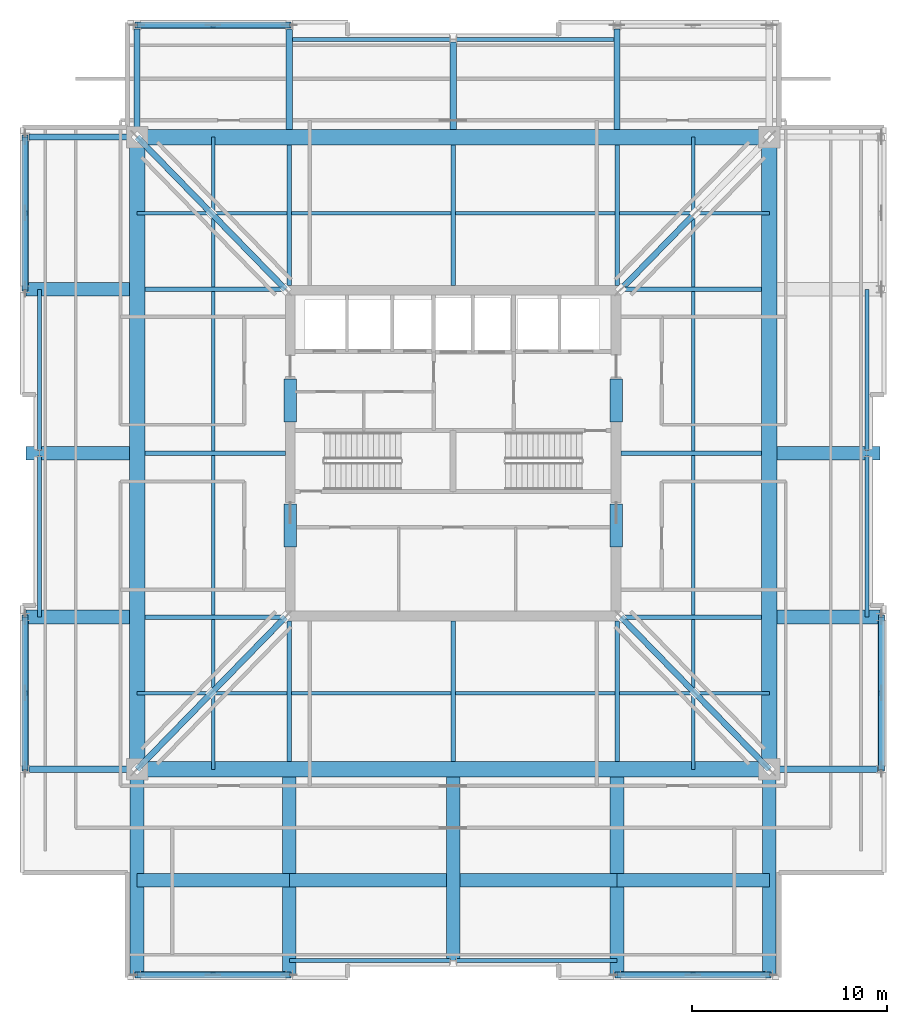
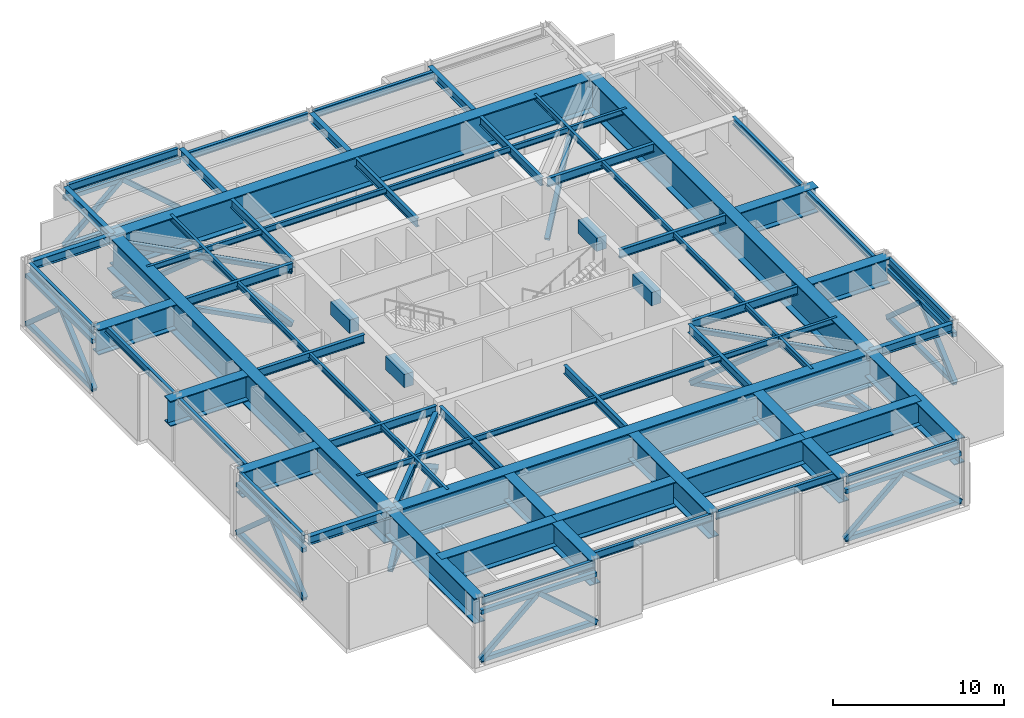
# One storey, part 3 of 10: 59 beams, 37 members.
"""IFC4 building model written with IfcOpenShell, lengths in metres."""

from ifc_helpers import new_model, si_unit, direction, frame, origin, origin_2d, place, context, subcontext, project, spatial, rectangle, hollow_rectangle, i_section, extrude, material, material_profile, profile_set, type_object, element, save


model = new_model("IFC4")

# Units and contexts
model_context = context("Model", 3, precision=1e-05, world=origin(), true_north=direction((0.0, 1.0)))
body_context = subcontext(model_context, "Body", "Model", "MODEL_VIEW")
ifc_project = project(units=[si_unit("LENGTHUNIT", "METRE"), si_unit("AREAUNIT", "SQUARE_METRE"), si_unit("VOLUMEUNIT", "CUBIC_METRE"), si_unit("PLANEANGLEUNIT", "RADIAN"), si_unit("MASSUNIT", "GRAM", prefix="KILO")], contexts=[model_context])

# Site, building, storey
site_placement = place(None, origin())
site = spatial("IfcSite", under=ifc_project, at=site_placement, CompositionType="ELEMENT")
building_placement = place(site_placement, origin())
building = spatial("IfcBuilding", under=site, at=building_placement, Name="Drelvath Grand Hotel", CompositionType="ELEMENT")
storey_placement = place(building_placement, frame((0.0, 0.0, 260.0)))
storey = spatial("IfcBuildingStorey", under=building, at=storey_placement, Name="L68", CompositionType="ELEMENT", Elevation=260.0)

# Beams
ifc_material_1 = material(Name="Steel ASTM A572 Gr 50", Category="steel")
ifc_material_profile_1 = material_profile(ifc_material_1, i_section(OverallWidth=0.699951171875, OverallDepth=1.800048828125, WebThickness=0.035888671875, FlangeThickness=0.06494140625, at=origin_2d()), Name="PG1800X700")
ifc_profile_set_1 = profile_set([ifc_material_profile_1], Name="Steel ASTM A572 Gr 50")
beam_type_1 = type_object("IfcBeamType", Name="Built-Up Transfer Girder PG1800X700", PredefinedType="BEAM", material=ifc_profile_set_1)
beam_1_placement = place(storey_placement, frame((-16.199951171875, 5.1201171875, 3.840087890625), z_axis=(1.0, 0.0, 0.0), x_axis=(0.0, 1.0, 0.0)))
element("IfcBeam", 1, at=beam_1_placement, inside=storey, type_object=beam_type_1, Name="L68 Setback Transfer Girder South 1", PredefinedType="BEAM", context=body_context, shape_type="SweptSolid", body=[
    extrude(i_section(OverallWidth=0.699951171875, OverallDepth=1.800048828125, WebThickness=0.035888671875, FlangeThickness=0.06494140625, at=origin_2d()), origin(), (0.0, 0.0, 1.0), 7.800048828125),
])
for number, where, z_axis, x_axis, name in (
    (2, (-8.39990234375, 5.1201171875, 3.840087890625), (1.0, 0.0, 0.0), (0.0, 1.0, 0.0), "L68 Setback Transfer Girder South 2"),
    (3, (0.35009765625, 5.1201171875, 3.840087890625), (1.0, 0.0, 0.0), (0.0, 1.0, 0.0), "L68 Setback Transfer Girder South 3"),
):
    element("IfcBeam", number, at=place(storey_placement, frame(where, z_axis=z_axis, x_axis=x_axis)), inside=storey, type_object=beam_type_1, Name=name, PredefinedType="BEAM", context=body_context, shape_type="SweptSolid", body=[
        extrude(i_section(OverallWidth=0.699951171875, OverallDepth=1.800048828125, WebThickness=0.035888671875, FlangeThickness=0.06494140625, at=origin_2d()), origin(), (0.0, 0.0, 1.0), 8.0498046875),
    ])
beam_2_placement = place(storey_placement, frame((8.39990234375, 5.1201171875, 3.840087890625), z_axis=(1.0, 0.0, 0.0), x_axis=(0.0, 1.0, 0.0)))
element("IfcBeam", 4, at=beam_2_placement, inside=storey, type_object=beam_type_1, Name="L68 Setback Transfer Girder South 4", PredefinedType="BEAM", context=body_context, shape_type="SweptSolid", body=[
    extrude(i_section(OverallWidth=0.699951171875, OverallDepth=1.800048828125, WebThickness=0.035888671875, FlangeThickness=0.06494140625, at=origin_2d()), origin(), (0.0, 0.0, 1.0), 7.800048828125),
])
beam_3_placement = place(storey_placement, frame((-16.199951171875, 0.320068359375, 3.840087890625), z_axis=(0.0, 1.0, 0.0), x_axis=(-1.0, 0.0, 0.0)))
element("IfcBeam", 5, at=beam_3_placement, inside=storey, type_object=beam_type_1, Name="L68 Setback Cross Transfer Girder 3", PredefinedType="BEAM", context=body_context, shape_type="SweptSolid", body=[
    extrude(i_section(OverallWidth=0.699951171875, OverallDepth=1.800048828125, WebThickness=0.035888671875, FlangeThickness=0.06494140625, at=origin_2d()), origin(), (0.0, 0.0, 1.0), 10.47998046875),
])
beam_4_placement = place(storey_placement, frame((-8.39990234375, 0.320068359375, 3.840087890625), z_axis=(0.0, 1.0, 0.0), x_axis=(-1.0, 0.0, 0.0)))
element("IfcBeam", 6, at=beam_4_placement, inside=storey, type_object=beam_type_1, Name="L68 Setback Cross Transfer Girder 4", PredefinedType="BEAM", context=body_context, shape_type="SweptSolid", body=[
    extrude(i_section(OverallWidth=0.699951171875, OverallDepth=1.800048828125, WebThickness=0.035888671875, FlangeThickness=0.06494140625, at=origin_2d()), origin(), (0.0, 0.0, 1.0), 10.079833984375),
])
beam_5_placement = place(storey_placement, frame((0.0, 1.0, 3.840087890625), z_axis=(0.0, 1.0, 0.0), x_axis=(-1.0, 0.0, 0.0)))
element("IfcBeam", 7, at=beam_5_placement, inside=storey, type_object=beam_type_1, Name="L68 Setback Cross Transfer Girder 5", PredefinedType="BEAM", context=body_context, shape_type="SweptSolid", body=[
    extrude(i_section(OverallWidth=0.699951171875, OverallDepth=1.800048828125, WebThickness=0.035888671875, FlangeThickness=0.06494140625, at=origin_2d()), origin(), (0.0, 0.0, 1.0), 9.39990234375),
])
beam_6_placement = place(storey_placement, frame((8.39990234375, 0.320068359375, 3.840087890625), z_axis=(0.0, 1.0, 0.0), x_axis=(-1.0, 0.0, 0.0)))
element("IfcBeam", 8, at=beam_6_placement, inside=storey, type_object=beam_type_1, Name="L68 Setback Cross Transfer Girder 6", PredefinedType="BEAM", context=body_context, shape_type="SweptSolid", body=[
    extrude(i_section(OverallWidth=0.699951171875, OverallDepth=1.800048828125, WebThickness=0.035888671875, FlangeThickness=0.06494140625, at=origin_2d()), origin(), (0.0, 0.0, 1.0), 10.079833984375),
])
beam_7_placement = place(storey_placement, frame((16.199951171875, 0.320068359375, 3.840087890625), z_axis=(0.0, 1.0, 0.0), x_axis=(-1.0, 0.0, 0.0)))
element("IfcBeam", 9, at=beam_7_placement, inside=storey, type_object=beam_type_1, Name="L68 Setback Cross Transfer Girder 7", PredefinedType="BEAM", context=body_context, shape_type="SweptSolid", body=[
    extrude(i_section(OverallWidth=0.699951171875, OverallDepth=1.800048828125, WebThickness=0.035888671875, FlangeThickness=0.06494140625, at=origin_2d()), origin(), (0.0, 0.0, 1.0), 10.47998046875),
])
for number, where, z_axis, x_axis, name in (
    (10, (-21.8798828125, 18.60009765625, 3.840087890625), (1.0, 0.0, 0.0), (0.0, 1.0, 0.0), "L68 Recess Transfer Girder WD"),
    (11, (16.60009765625, 18.60009765625, 3.840087890625), (1.0, 0.0, 0.0), (0.0, 1.0, 0.0), "L68 Recess Transfer Girder ED"),
    (12, (-21.8798828125, 27.0, 3.840087890625), (1.0, 0.0, 0.0), (0.0, 1.0, 0.0), "L68 Recess Transfer Girder WE"),
    (13, (16.60009765625, 27.0, 3.840087890625), (1.0, 0.0, 0.0), (0.0, 1.0, 0.0), "L68 Recess Transfer Girder EE"),
    (14, (-21.8798828125, 35.39990234375, 3.840087890625), (1.0, 0.0, 0.0), (0.0, 1.0, 0.0), "L68 Recess Transfer Girder WF"),
):
    element("IfcBeam", number, at=place(storey_placement, frame(where, z_axis=z_axis, x_axis=x_axis)), inside=storey, type_object=beam_type_1, Name=name, PredefinedType="BEAM", context=body_context, shape_type="SweptSolid", body=[
        extrude(i_section(OverallWidth=0.699951171875, OverallDepth=1.800048828125, WebThickness=0.035888671875, FlangeThickness=0.06494140625, at=origin_2d()), origin(), (0.0, 0.0, 1.0), 5.27978515625),
    ])
ifc_material_profile_2 = material_profile(ifc_material_1, i_section(OverallWidth=0.800048828125, OverallDepth=2.39990234375, WebThickness=0.0400390625, FlangeThickness=0.074951171875, at=origin_2d()), Name="PG2400X800")
ifc_profile_set_2 = profile_set([ifc_material_profile_2], Name="Steel ASTM A572 Gr 50")
beam_type_2 = type_object("IfcBeamType", Name="Built-Up Transfer Girder PG2400X800", PredefinedType="BEAM", material=ifc_profile_set_2)
for number, where, z_axis, x_axis, name in (
    (15, (-16.199951171875, 10.800048828125, 3.5400390625), (1.0, 0.0, 0.0), (0.0, 1.0, 0.0), "L68 Mega Ring Girder South"),
    (16, (-16.199951171875, 43.199951171875, 3.5400390625), (1.0, 0.0, 0.0), (0.0, 1.0, 0.0), "L68 Mega Ring Girder North"),
    (17, (-16.199951171875, 10.800048828125, 3.5400390625), (0.0, 1.0, 0.0), (-1.0, 0.0, 0.0), "L68 Mega Ring Girder West"),
    (18, (16.199951171875, 10.800048828125, 3.5400390625), (0.0, 1.0, 0.0), (-1.0, 0.0, 0.0), "L68 Mega Ring Girder East"),
):
    element("IfcBeam", number, at=place(storey_placement, frame(where, z_axis=z_axis, x_axis=x_axis)), inside=storey, type_object=beam_type_2, Name=name, PredefinedType="BEAM", context=body_context, shape_type="SweptSolid", body=[
        extrude(i_section(OverallWidth=0.800048828125, OverallDepth=2.39990234375, WebThickness=0.0400390625, FlangeThickness=0.074951171875, at=origin_2d()), origin(), (0.0, 0.0, 1.0), 32.39990234375),
    ])
ifc_material_2 = material(Name="Steel ASTM A992 Gr 50", Category="steel")
ifc_material_profile_3 = material_profile(ifc_material_2, i_section(OverallWidth=0.177734375, OverallDepth=0.40673828125, WebThickness=0.0078125, FlangeThickness=0.0126953125, FilletRadius=0.014892578125, at=origin_2d()), Name="W16X40")
ifc_profile_set_3 = profile_set([ifc_material_profile_3], Name="Steel ASTM A992 Gr 50")
beam_type_3 = type_object("IfcBeamType", Name="Composite Floor Joist W16X40", PredefinedType="JOIST", material=ifc_profile_set_3)
for number, where, z_axis, x_axis, name in (
    (19, (-16.199951171875, 14.699951171875, 4.53662109375), (1.0, 0.0, 0.0), (0.0, 1.0, 0.0), "L68 Floor Joist J1"),
    (20, (-16.199951171875, 39.300048828125, 4.53662109375), (1.0, 0.0, 0.0), (0.0, 1.0, 0.0), "L68 Floor Joist J2"),
    (21, (-12.300048828125, 10.800048828125, 4.53662109375), (0.0, 1.0, 0.0), (-1.0, 0.0, 0.0), "L68 Wing Floor Joist J3"),
    (22, (12.300048828125, 10.800048828125, 4.53662109375), (0.0, 1.0, 0.0), (-1.0, 0.0, 0.0), "L68 Wing Floor Joist J4"),
):
    element("IfcBeam", number, at=place(storey_placement, frame(where, z_axis=z_axis, x_axis=x_axis)), inside=storey, type_object=beam_type_3, Name=name, PredefinedType="JOIST", context=body_context, shape_type="SweptSolid", body=[
        extrude(i_section(OverallWidth=0.177734375, OverallDepth=0.40673828125, WebThickness=0.0078125, FlangeThickness=0.0126953125, FilletRadius=0.014892578125, at=origin_2d()), origin(), (0.0, 0.0, 1.0), 32.39990234375),
    ])
ifc_material_3 = material(Name="Concrete f'c 55 MPa", Category="concrete")
ifc_material_profile_4 = material_profile(ifc_material_3, rectangle(XDim=0.64990234375, YDim=0.949951171875, at=origin_2d()), Name="CB650X950")
ifc_profile_set_4 = profile_set([ifc_material_profile_4], Name="Concrete f'c 55 MPa")
beam_type_4 = type_object("IfcBeamType", Name="Core Coupling Lintel CB650X950", PredefinedType="LINTEL", material=ifc_profile_set_4)
for number, where, z_axis, x_axis, name in (
    (23, (-8.35009765625, 22.199951171875, 4.264892578125), (0.0, 1.0, 0.0), (-1.0, 0.0, 0.0), "L68 Core Coupling Lintel WS"),
    (24, (-8.35009765625, 28.60009765625, 4.264892578125), (0.0, 1.0, 0.0), (-1.0, 0.0, 0.0), "L68 Core Coupling Lintel WN"),
    (25, (8.35009765625, 22.199951171875, 4.264892578125), (0.0, 1.0, 0.0), (-1.0, 0.0, 0.0), "L68 Core Coupling Lintel ES"),
    (26, (8.35009765625, 28.60009765625, 4.264892578125), (0.0, 1.0, 0.0), (-1.0, 0.0, 0.0), "L68 Core Coupling Lintel EN"),
):
    element("IfcBeam", number, at=place(storey_placement, frame(where, z_axis=z_axis, x_axis=x_axis)), inside=storey, type_object=beam_type_4, Name=name, PredefinedType="LINTEL", context=body_context, shape_type="SweptSolid", body=[
        extrude(rectangle(XDim=0.64990234375, YDim=0.949951171875, at=origin_2d()), origin(), (0.0, 0.0, 1.0), 2.199951171875),
    ])

# Members
ifc_material_4 = material(Name="Steel ASTM A500 Gr C", Category="steel")
ifc_material_profile_5 = material_profile(ifc_material_4, hollow_rectangle(XDim=0.3046875, YDim=0.3046875, WallThickness=0.0126953125, at=origin_2d()), Name="HSS305X305X13")
ifc_profile_set_5 = profile_set([ifc_material_profile_5], Name="Steel ASTM A500 Gr C")
member_type_1 = type_object("IfcMemberType", Name="Outrigger and Belt Truss Brace HSS305X305X13", PredefinedType="BRACE", material=ifc_profile_set_5)
for number, where, z_axis, x_axis, name in (
    (27, (-8.60009765625, 18.60009765625, 0.35009765625), (-0.572268997163, -0.587380957959, 0.572268997163), (0.716260617515, -0.697832879562, 0.0), "L68 Outrigger Truss Diagonal SW-1"),
    (28, (-12.39990234375, 14.699951171875, 4.14990234375), (-0.572306083151, -0.587344514761, -0.572269314369), (0.716216371491, -0.697878291114, 0.0), "L68 Outrigger Truss Diagonal SW-2"),
    (29, (8.60009765625, 18.60009765625, 0.35009765625), (0.572268997163, -0.587380957959, 0.572268997163), (0.716260617515, 0.697832879562, 0.0), "L68 Outrigger Truss Diagonal SE-1"),
    (30, (12.39990234375, 14.699951171875, 4.14990234375), (0.572306083151, -0.587344514761, -0.572269314369), (0.716216371491, 0.697878291114, 0.0), "L68 Outrigger Truss Diagonal SE-2"),
    (31, (-8.60009765625, 35.39990234375, 0.35009765625), (-0.572268997163, 0.587380957959, 0.572268997163), (-0.716260617515, -0.697832879562, 0.0), "L68 Outrigger Truss Diagonal NW-1"),
    (32, (-12.39990234375, 39.300048828125, 4.14990234375), (-0.572306083151, 0.587344514761, -0.572269314369), (-0.716216371491, -0.697878291114, 0.0), "L68 Outrigger Truss Diagonal NW-2"),
    (33, (8.60009765625, 35.39990234375, 0.35009765625), (0.572268997163, 0.587380957959, 0.572268997163), (-0.716260617515, 0.697832879562, 0.0), "L68 Outrigger Truss Diagonal NE-1"),
):
    element("IfcMember", number, at=place(storey_placement, frame(where, z_axis=z_axis, x_axis=x_axis)), inside=storey, type_object=member_type_1, Name=name, PredefinedType="BRACE", context=body_context, shape_type="SweptSolid", body=[
        extrude(hollow_rectangle(XDim=0.3046875, YDim=0.3046875, WallThickness=0.0126953125, at=origin_2d()), origin(), (0.0, 0.0, 1.0), 6.639892578125),
    ])
member_1_placement = place(storey_placement, frame((-21.949951171875, 10.800048828125, 0.35009765625), z_axis=(0.0, 0.750902788977, 0.660412750866), x_axis=(-1.0, 0.0, 0.0)))
element("IfcMember", 34, at=member_1_placement, inside=storey, type_object=member_type_1, Name="L68 Belt Truss Diagonal BW-S-1", PredefinedType="BRACE", context=body_context, shape_type="SweptSolid", body=[
    extrude(hollow_rectangle(XDim=0.3046875, YDim=0.3046875, WallThickness=0.0126953125, at=origin_2d()), origin(), (0.0, 0.0, 1.0), 5.193603515625),
])
for number, where, z_axis, x_axis, name in (
    (35, (-21.949951171875, 14.699951171875, 3.780029296875), (0.0, 0.750923290114, -0.660389439925), (-1.0, 0.0, 0.0), "L68 Belt Truss Diagonal BW-S-2"),
    (36, (-21.949951171875, 35.39990234375, 0.35009765625), (0.0, 0.750923290114, 0.660389439925), (-1.0, 0.0, 0.0), "L68 Belt Truss Diagonal BW-N-1"),
):
    element("IfcMember", number, at=place(storey_placement, frame(where, z_axis=z_axis, x_axis=x_axis)), inside=storey, type_object=member_type_1, Name=name, PredefinedType="BRACE", context=body_context, shape_type="SweptSolid", body=[
        extrude(hollow_rectangle(XDim=0.3046875, YDim=0.3046875, WallThickness=0.0126953125, at=origin_2d()), origin(), (0.0, 0.0, 1.0), 5.19384765625),
    ])
for number, where, z_axis, x_axis, name in (
    (37, (-21.949951171875, 39.300048828125, 3.780029296875), (0.0, 0.750902788977, -0.660412750866), (-1.0, 0.0, 0.0), "L68 Belt Truss Diagonal BW-N-2"),
    (38, (21.949951171875, 10.800048828125, 0.35009765625), (0.0, 0.750902788977, 0.660412750866), (-1.0, 0.0, 0.0), "L68 Belt Truss Diagonal BE-S-1"),
):
    element("IfcMember", number, at=place(storey_placement, frame(where, z_axis=z_axis, x_axis=x_axis)), inside=storey, type_object=member_type_1, Name=name, PredefinedType="BRACE", context=body_context, shape_type="SweptSolid", body=[
        extrude(hollow_rectangle(XDim=0.3046875, YDim=0.3046875, WallThickness=0.0126953125, at=origin_2d()), origin(), (0.0, 0.0, 1.0), 5.193603515625),
    ])
member_2_placement = place(storey_placement, frame((21.949951171875, 14.699951171875, 3.780029296875), z_axis=(0.0, 0.750923290114, -0.660389439925), x_axis=(-1.0, 0.0, 0.0)))
element("IfcMember", 39, at=member_2_placement, inside=storey, type_object=member_type_1, Name="L68 Belt Truss Diagonal BE-S-2", PredefinedType="BRACE", context=body_context, shape_type="SweptSolid", body=[
    extrude(hollow_rectangle(XDim=0.3046875, YDim=0.3046875, WallThickness=0.0126953125, at=origin_2d()), origin(), (0.0, 0.0, 1.0), 5.19384765625),
])
member_3_placement = place(storey_placement, frame((-16.199951171875, 0.25, 0.35009765625), z_axis=(0.750902788977, 0.0, 0.660412750866), x_axis=(0.0, 1.0, 0.0)))
element("IfcMember", 40, at=member_3_placement, inside=storey, type_object=member_type_1, Name="L68 Belt Truss Diagonal BS-W-1", PredefinedType="BRACE", context=body_context, shape_type="SweptSolid", body=[
    extrude(hollow_rectangle(XDim=0.3046875, YDim=0.3046875, WallThickness=0.0126953125, at=origin_2d()), origin(), (0.0, 0.0, 1.0), 5.193603515625),
])
for number, where, z_axis, x_axis, name in (
    (41, (-12.300048828125, 0.25, 3.780029296875), (0.750923290114, 0.0, -0.660389439925), (0.0, 1.0, 0.0), "L68 Belt Truss Diagonal BS-W-2"),
    (42, (8.39990234375, 0.25, 0.35009765625), (0.750923290114, 0.0, 0.660389439925), (0.0, 1.0, 0.0), "L68 Belt Truss Diagonal BS-E-1"),
):
    element("IfcMember", number, at=place(storey_placement, frame(where, z_axis=z_axis, x_axis=x_axis)), inside=storey, type_object=member_type_1, Name=name, PredefinedType="BRACE", context=body_context, shape_type="SweptSolid", body=[
        extrude(hollow_rectangle(XDim=0.3046875, YDim=0.3046875, WallThickness=0.0126953125, at=origin_2d()), origin(), (0.0, 0.0, 1.0), 5.19384765625),
    ])
for number, where, z_axis, x_axis, name in (
    (43, (12.300048828125, 0.25, 3.780029296875), (0.750902788977, 0.0, -0.660412750866), (0.0, 1.0, 0.0), "L68 Belt Truss Diagonal BS-E-2"),
    (44, (-16.199951171875, 48.949951171875, 0.35009765625), (0.750902788977, 0.0, 0.660412750866), (0.0, 1.0, 0.0), "L68 Belt Truss Diagonal BN-W-1"),
):
    element("IfcMember", number, at=place(storey_placement, frame(where, z_axis=z_axis, x_axis=x_axis)), inside=storey, type_object=member_type_1, Name=name, PredefinedType="BRACE", context=body_context, shape_type="SweptSolid", body=[
        extrude(hollow_rectangle(XDim=0.3046875, YDim=0.3046875, WallThickness=0.0126953125, at=origin_2d()), origin(), (0.0, 0.0, 1.0), 5.193603515625),
    ])
member_4_placement = place(storey_placement, frame((-12.300048828125, 48.949951171875, 3.780029296875), z_axis=(0.750923290114, 0.0, -0.660389439925), x_axis=(0.0, 1.0, 0.0)))
element("IfcMember", 45, at=member_4_placement, inside=storey, type_object=member_type_1, Name="L68 Belt Truss Diagonal BN-W-2", PredefinedType="BRACE", context=body_context, shape_type="SweptSolid", body=[
    extrude(hollow_rectangle(XDim=0.3046875, YDim=0.3046875, WallThickness=0.0126953125, at=origin_2d()), origin(), (0.0, 0.0, 1.0), 5.19384765625),
])
ifc_material_profile_6 = material_profile(ifc_material_4, hollow_rectangle(XDim=0.3046875, YDim=0.3046875, WallThickness=0.0126953125, at=origin_2d()), Name="HSS305X305X13")
ifc_profile_set_6 = profile_set([ifc_material_profile_6], Name="Steel ASTM A500 Gr C")
member_type_2 = type_object("IfcMemberType", Name="Outrigger and Belt Truss Chord HSS305X305X13", PredefinedType="CHORD", material=ifc_profile_set_6)
for number, where, z_axis, x_axis, name in (
    (46, (-8.60009765625, 18.60009765625, 0.35009765625), (-0.697855585679, -0.716238494872, 0.0), (0.716238494872, -0.697855585679, 0.0), "L68 Outrigger Truss Bottom Chord SW"),
    (47, (-8.60009765625, 18.60009765625, 4.14990234375), (-0.697855585679, -0.716238494872, 0.0), (0.716238494872, -0.697855585679, 0.0), "L68 Outrigger Truss Top Chord SW"),
    (48, (8.60009765625, 18.60009765625, 0.35009765625), (0.697855585679, -0.716238494872, 0.0), (0.716238494872, 0.697855585679, 0.0), "L68 Outrigger Truss Bottom Chord SE"),
    (49, (8.60009765625, 18.60009765625, 4.14990234375), (0.697855585679, -0.716238494872, 0.0), (0.716238494872, 0.697855585679, 0.0), "L68 Outrigger Truss Top Chord SE"),
    (50, (-8.60009765625, 35.39990234375, 0.35009765625), (-0.697855585679, 0.716238494872, 0.0), (-0.716238494872, -0.697855585679, 0.0), "L68 Outrigger Truss Bottom Chord NW"),
    (51, (-8.60009765625, 35.39990234375, 4.14990234375), (-0.697855585679, 0.716238494872, 0.0), (-0.716238494872, -0.697855585679, 0.0), "L68 Outrigger Truss Top Chord NW"),
):
    element("IfcMember", number, at=place(storey_placement, frame(where, z_axis=z_axis, x_axis=x_axis)), inside=storey, type_object=member_type_2, Name=name, PredefinedType="CHORD", context=body_context, shape_type="SweptSolid", body=[
        extrude(hollow_rectangle(XDim=0.3046875, YDim=0.3046875, WallThickness=0.0126953125, at=origin_2d()), origin(), (0.0, 0.0, 1.0), 10.890380859375),
    ])
for number, where, z_axis, x_axis, name in (
    (52, (-21.949951171875, 10.800048828125, 0.35009765625), (0.0, 1.0, 0.0), (-1.0, 0.0, 0.0), "L68 Belt Truss Bottom Chord BW-S"),
    (53, (-21.949951171875, 10.800048828125, 3.780029296875), (0.0, 1.0, 0.0), (-1.0, 0.0, 0.0), "L68 Belt Truss Top Chord BW-S"),
    (54, (-21.949951171875, 35.39990234375, 0.35009765625), (0.0, 1.0, 0.0), (-1.0, 0.0, 0.0), "L68 Belt Truss Bottom Chord BW-N"),
    (55, (-21.949951171875, 35.39990234375, 3.780029296875), (0.0, 1.0, 0.0), (-1.0, 0.0, 0.0), "L68 Belt Truss Top Chord BW-N"),
    (56, (21.949951171875, 10.800048828125, 0.35009765625), (0.0, 1.0, 0.0), (-1.0, 0.0, 0.0), "L68 Belt Truss Bottom Chord BE-S"),
    (57, (21.949951171875, 10.800048828125, 3.780029296875), (0.0, 1.0, 0.0), (-1.0, 0.0, 0.0), "L68 Belt Truss Top Chord BE-S"),
    (58, (-16.199951171875, 0.25, 0.35009765625), (1.0, 0.0, 0.0), (0.0, 1.0, 0.0), "L68 Belt Truss Bottom Chord BS-W"),
    (59, (-16.199951171875, 0.25, 3.780029296875), (1.0, 0.0, 0.0), (0.0, 1.0, 0.0), "L68 Belt Truss Top Chord BS-W"),
    (60, (8.39990234375, 0.25, 0.35009765625), (1.0, 0.0, 0.0), (0.0, 1.0, 0.0), "L68 Belt Truss Bottom Chord BS-E"),
    (61, (8.39990234375, 0.25, 3.780029296875), (1.0, 0.0, 0.0), (0.0, 1.0, 0.0), "L68 Belt Truss Top Chord BS-E"),
    (62, (-16.199951171875, 48.949951171875, 0.35009765625), (1.0, 0.0, 0.0), (0.0, 1.0, 0.0), "L68 Belt Truss Bottom Chord BN-W"),
    (63, (-16.199951171875, 48.949951171875, 3.780029296875), (1.0, 0.0, 0.0), (0.0, 1.0, 0.0), "L68 Belt Truss Top Chord BN-W"),
):
    element("IfcMember", number, at=place(storey_placement, frame(where, z_axis=z_axis, x_axis=x_axis)), inside=storey, type_object=member_type_2, Name=name, PredefinedType="CHORD", context=body_context, shape_type="SweptSolid", body=[
        extrude(hollow_rectangle(XDim=0.3046875, YDim=0.3046875, WallThickness=0.0126953125, at=origin_2d()), origin(), (0.0, 0.0, 1.0), 7.800048828125),
    ])

# Beams
ifc_material_profile_7 = material_profile(ifc_material_2, i_section(OverallWidth=0.210205078125, OverallDepth=0.53662109375, WebThickness=0.010986328125, FlangeThickness=0.017333984375, FilletRadius=0.01806640625, at=origin_2d()), Name="W21X68")
ifc_profile_set_7 = profile_set([ifc_material_profile_7], Name="Steel ASTM A992 Gr 50")
beam_type_5 = type_object("IfcBeamType", Name="Perimeter Spandrel Beam W21X68", PredefinedType="SPANDREL", material=ifc_profile_set_7)
beam_8_placement = place(storey_placement, frame((-21.8798828125, 10.93994140625, 4.4716796875), z_axis=(0.0, 1.0, 0.0), x_axis=(-1.0, 0.0, 0.0)))
element("IfcBeam", 64, at=beam_8_placement, inside=storey, type_object=beam_type_5, Name="L68 Spandrel West S", PredefinedType="SPANDREL", context=body_context, shape_type="SweptSolid", body=[
    extrude(i_section(OverallWidth=0.210205078125, OverallDepth=0.53662109375, WebThickness=0.010986328125, FlangeThickness=0.017333984375, FilletRadius=0.01806640625, at=origin_2d()), origin(), (0.0, 0.0, 1.0), 7.52001953125),
])
for number, where, z_axis, x_axis, name in (
    (65, (-21.199951171875, 18.60009765625, 4.4716796875), (0.0, 1.0, 0.0), (-1.0, 0.0, 0.0), "L68 Spandrel West Mid S"),
    (66, (-21.199951171875, 27.139892578125, 4.4716796875), (0.0, 1.0, 0.0), (-1.0, 0.0, 0.0), "L68 Spandrel West Mid N"),
):
    element("IfcBeam", number, at=place(storey_placement, frame(where, z_axis=z_axis, x_axis=x_axis)), inside=storey, type_object=beam_type_5, Name=name, PredefinedType="SPANDREL", context=body_context, shape_type="SweptSolid", body=[
        extrude(i_section(OverallWidth=0.210205078125, OverallDepth=0.53662109375, WebThickness=0.010986328125, FlangeThickness=0.017333984375, FilletRadius=0.01806640625, at=origin_2d()), origin(), (0.0, 0.0, 1.0), 8.260009765625),
    ])
for number, where, z_axis, x_axis, name in (
    (67, (-21.8798828125, 35.5400390625, 4.4716796875), (0.0, 1.0, 0.0), (-1.0, 0.0, 0.0), "L68 Spandrel West N"),
    (68, (21.8798828125, 10.93994140625, 4.4716796875), (0.0, 1.0, 0.0), (-1.0, 0.0, 0.0), "L68 Spandrel East S"),
):
    element("IfcBeam", number, at=place(storey_placement, frame(where, z_axis=z_axis, x_axis=x_axis)), inside=storey, type_object=beam_type_5, Name=name, PredefinedType="SPANDREL", context=body_context, shape_type="SweptSolid", body=[
        extrude(i_section(OverallWidth=0.210205078125, OverallDepth=0.53662109375, WebThickness=0.010986328125, FlangeThickness=0.017333984375, FilletRadius=0.01806640625, at=origin_2d()), origin(), (0.0, 0.0, 1.0), 7.52001953125),
    ])
for number, where, z_axis, x_axis, name in (
    (69, (21.199951171875, 18.60009765625, 4.4716796875), (0.0, 1.0, 0.0), (-1.0, 0.0, 0.0), "L68 Spandrel East Mid S"),
    (70, (21.199951171875, 27.139892578125, 4.4716796875), (0.0, 1.0, 0.0), (-1.0, 0.0, 0.0), "L68 Spandrel East Mid N"),
):
    element("IfcBeam", number, at=place(storey_placement, frame(where, z_axis=z_axis, x_axis=x_axis)), inside=storey, type_object=beam_type_5, Name=name, PredefinedType="SPANDREL", context=body_context, shape_type="SweptSolid", body=[
        extrude(i_section(OverallWidth=0.210205078125, OverallDepth=0.53662109375, WebThickness=0.010986328125, FlangeThickness=0.017333984375, FilletRadius=0.01806640625, at=origin_2d()), origin(), (0.0, 0.0, 1.0), 8.260009765625),
    ])
beam_9_placement = place(storey_placement, frame((-16.06005859375, 0.320068359375, 4.4716796875), z_axis=(1.0, 0.0, 0.0), x_axis=(0.0, 1.0, 0.0)))
element("IfcBeam", 71, at=beam_9_placement, inside=storey, type_object=beam_type_5, Name="L68 Spandrel South W", PredefinedType="SPANDREL", context=body_context, shape_type="SweptSolid", body=[
    extrude(i_section(OverallWidth=0.210205078125, OverallDepth=0.53662109375, WebThickness=0.010986328125, FlangeThickness=0.017333984375, FilletRadius=0.01806640625, at=origin_2d()), origin(), (0.0, 0.0, 1.0), 7.52001953125),
])
for number, where, z_axis, x_axis, name in (
    (72, (-8.39990234375, 1.0, 4.4716796875), (1.0, 0.0, 0.0), (0.0, 1.0, 0.0), "L68 Spandrel South Mid W"),
    (73, (0.139892578125, 1.0, 4.4716796875), (1.0, 0.0, 0.0), (0.0, 1.0, 0.0), "L68 Spandrel South Mid E"),
):
    element("IfcBeam", number, at=place(storey_placement, frame(where, z_axis=z_axis, x_axis=x_axis)), inside=storey, type_object=beam_type_5, Name=name, PredefinedType="SPANDREL", context=body_context, shape_type="SweptSolid", body=[
        extrude(i_section(OverallWidth=0.210205078125, OverallDepth=0.53662109375, WebThickness=0.010986328125, FlangeThickness=0.017333984375, FilletRadius=0.01806640625, at=origin_2d()), origin(), (0.0, 0.0, 1.0), 8.260009765625),
    ])
for number, where, z_axis, x_axis, name in (
    (74, (8.5400390625, 0.320068359375, 4.4716796875), (1.0, 0.0, 0.0), (0.0, 1.0, 0.0), "L68 Spandrel South E"),
    (75, (-16.06005859375, 48.8798828125, 4.4716796875), (1.0, 0.0, 0.0), (0.0, 1.0, 0.0), "L68 Spandrel North W"),
):
    element("IfcBeam", number, at=place(storey_placement, frame(where, z_axis=z_axis, x_axis=x_axis)), inside=storey, type_object=beam_type_5, Name=name, PredefinedType="SPANDREL", context=body_context, shape_type="SweptSolid", body=[
        extrude(i_section(OverallWidth=0.210205078125, OverallDepth=0.53662109375, WebThickness=0.010986328125, FlangeThickness=0.017333984375, FilletRadius=0.01806640625, at=origin_2d()), origin(), (0.0, 0.0, 1.0), 7.52001953125),
    ])
for number, where, z_axis, x_axis, name in (
    (76, (-8.39990234375, 48.199951171875, 4.4716796875), (1.0, 0.0, 0.0), (0.0, 1.0, 0.0), "L68 Spandrel North Mid W"),
    (77, (0.139892578125, 48.199951171875, 4.4716796875), (1.0, 0.0, 0.0), (0.0, 1.0, 0.0), "L68 Spandrel North Mid E"),
):
    element("IfcBeam", number, at=place(storey_placement, frame(where, z_axis=z_axis, x_axis=x_axis)), inside=storey, type_object=beam_type_5, Name=name, PredefinedType="SPANDREL", context=body_context, shape_type="SweptSolid", body=[
        extrude(i_section(OverallWidth=0.210205078125, OverallDepth=0.53662109375, WebThickness=0.010986328125, FlangeThickness=0.017333984375, FilletRadius=0.01806640625, at=origin_2d()), origin(), (0.0, 0.0, 1.0), 8.260009765625),
    ])
ifc_material_profile_8 = material_profile(ifc_material_2, i_section(OverallWidth=0.323974609375, OverallDepth=0.611083984375, WebThickness=0.0126953125, FlangeThickness=0.01904296875, FilletRadius=0.02197265625, at=origin_2d()), Name="W24X104")
ifc_profile_set_8 = profile_set([ifc_material_profile_8], Name="Steel ASTM A992 Gr 50")
beam_type_6 = type_object("IfcBeamType", Name="Primary Floor Girder W24X104", PredefinedType="BEAM", material=ifc_profile_set_8)
for number, where, z_axis, x_axis, name in (
    (78, (-21.739990234375, 10.800048828125, 4.4345703125), (1.0, 0.0, 0.0), (0.0, 1.0, 0.0), "L68 West Grid Girder C"),
    (79, (16.199951171875, 10.800048828125, 4.4345703125), (1.0, 0.0, 0.0), (0.0, 1.0, 0.0), "L68 East Grid Girder C"),
    (80, (-21.739990234375, 43.199951171875, 4.4345703125), (1.0, 0.0, 0.0), (0.0, 1.0, 0.0), "L68 West Grid Girder G"),
    (81, (-16.199951171875, 43.199951171875, 4.4345703125), (0.0, 1.0, 0.0), (-1.0, 0.0, 0.0), "L68 North Grid Girder 3"),
):
    element("IfcBeam", number, at=place(storey_placement, frame(where, z_axis=z_axis, x_axis=x_axis)), inside=storey, type_object=beam_type_6, Name=name, PredefinedType="BEAM", context=body_context, shape_type="SweptSolid", body=[
        extrude(i_section(OverallWidth=0.323974609375, OverallDepth=0.611083984375, WebThickness=0.0126953125, FlangeThickness=0.01904296875, FilletRadius=0.02197265625, at=origin_2d()), origin(), (0.0, 0.0, 1.0), 5.5400390625),
    ])
beam_10_placement = place(storey_placement, frame((-8.39990234375, 43.60009765625, 4.4345703125), z_axis=(0.0, 1.0, 0.0), x_axis=(-1.0, 0.0, 0.0)))
element("IfcBeam", 82, at=beam_10_placement, inside=storey, type_object=beam_type_6, Name="L68 North Wing Girder 4", PredefinedType="BEAM", context=body_context, shape_type="SweptSolid", body=[
    extrude(i_section(OverallWidth=0.323974609375, OverallDepth=0.611083984375, WebThickness=0.0126953125, FlangeThickness=0.01904296875, FilletRadius=0.02197265625, at=origin_2d()), origin(), (0.0, 0.0, 1.0), 5.139892578125),
])
beam_11_placement = place(storey_placement, frame((0.0, 43.60009765625, 4.4345703125), z_axis=(0.0, 1.0, 0.0), x_axis=(-1.0, 0.0, 0.0)))
element("IfcBeam", 83, at=beam_11_placement, inside=storey, type_object=beam_type_6, Name="L68 North Wing Girder 5", PredefinedType="BEAM", context=body_context, shape_type="SweptSolid", body=[
    extrude(i_section(OverallWidth=0.323974609375, OverallDepth=0.611083984375, WebThickness=0.0126953125, FlangeThickness=0.01904296875, FilletRadius=0.02197265625, at=origin_2d()), origin(), (0.0, 0.0, 1.0), 4.4599609375),
])
beam_12_placement = place(storey_placement, frame((8.39990234375, 43.60009765625, 4.4345703125), z_axis=(0.0, 1.0, 0.0), x_axis=(-1.0, 0.0, 0.0)))
element("IfcBeam", 84, at=beam_12_placement, inside=storey, type_object=beam_type_6, Name="L68 North Wing Girder 6", PredefinedType="BEAM", context=body_context, shape_type="SweptSolid", body=[
    extrude(i_section(OverallWidth=0.323974609375, OverallDepth=0.611083984375, WebThickness=0.0126953125, FlangeThickness=0.01904296875, FilletRadius=0.02197265625, at=origin_2d()), origin(), (0.0, 0.0, 1.0), 5.139892578125),
])
ifc_material_profile_9 = material_profile(ifc_material_2, i_section(OverallWidth=0.228271484375, OverallDepth=0.607666015625, WebThickness=0.01123046875, FlangeThickness=0.017333984375, FilletRadius=0.02001953125, at=origin_2d()), Name="W24X76")
ifc_profile_set_9 = profile_set([ifc_material_profile_9], Name="Steel ASTM A992 Gr 50")
beam_type_7 = type_object("IfcBeamType", Name="Primary Floor Girder W24X76", PredefinedType="BEAM", material=ifc_profile_set_9)
for number, where, z_axis, x_axis, name in (
    (85, (-15.800048828125, 18.60009765625, 4.436279296875), (1.0, 0.0, 0.0), (0.0, 1.0, 0.0), "L68 West Core Tie D"),
    (86, (8.60009765625, 18.60009765625, 4.436279296875), (1.0, 0.0, 0.0), (0.0, 1.0, 0.0), "L68 East Core Tie D"),
    (87, (-15.800048828125, 27.0, 4.436279296875), (1.0, 0.0, 0.0), (0.0, 1.0, 0.0), "L68 West Core Tie E"),
    (88, (8.60009765625, 27.0, 4.436279296875), (1.0, 0.0, 0.0), (0.0, 1.0, 0.0), "L68 East Core Tie E"),
    (89, (-15.800048828125, 35.39990234375, 4.436279296875), (1.0, 0.0, 0.0), (0.0, 1.0, 0.0), "L68 West Core Tie F"),
    (90, (8.60009765625, 35.39990234375, 4.436279296875), (1.0, 0.0, 0.0), (0.0, 1.0, 0.0), "L68 East Core Tie F"),
    (91, (-8.39990234375, 11.199951171875, 4.436279296875), (0.0, 1.0, 0.0), (-1.0, 0.0, 0.0), "L68 South Core Tie 4"),
    (92, (-8.39990234375, 35.60009765625, 4.436279296875), (0.0, 1.0, 0.0), (-1.0, 0.0, 0.0), "L68 North Core Tie 4"),
    (93, (0.0, 11.199951171875, 4.436279296875), (0.0, 1.0, 0.0), (-1.0, 0.0, 0.0), "L68 South Core Tie 5"),
    (94, (0.0, 35.60009765625, 4.436279296875), (0.0, 1.0, 0.0), (-1.0, 0.0, 0.0), "L68 North Core Tie 5"),
    (95, (8.39990234375, 11.199951171875, 4.436279296875), (0.0, 1.0, 0.0), (-1.0, 0.0, 0.0), "L68 South Core Tie 6"),
    (96, (8.39990234375, 35.60009765625, 4.436279296875), (0.0, 1.0, 0.0), (-1.0, 0.0, 0.0), "L68 North Core Tie 6"),
):
    element("IfcBeam", number, at=place(storey_placement, frame(where, z_axis=z_axis, x_axis=x_axis)), inside=storey, type_object=beam_type_7, Name=name, PredefinedType="BEAM", context=body_context, shape_type="SweptSolid", body=[
        extrude(i_section(OverallWidth=0.228271484375, OverallDepth=0.607666015625, WebThickness=0.01123046875, FlangeThickness=0.017333984375, FilletRadius=0.02001953125, at=origin_2d()), origin(), (0.0, 0.0, 1.0), 7.199951171875),
    ])

save(model, "model.ifc")
